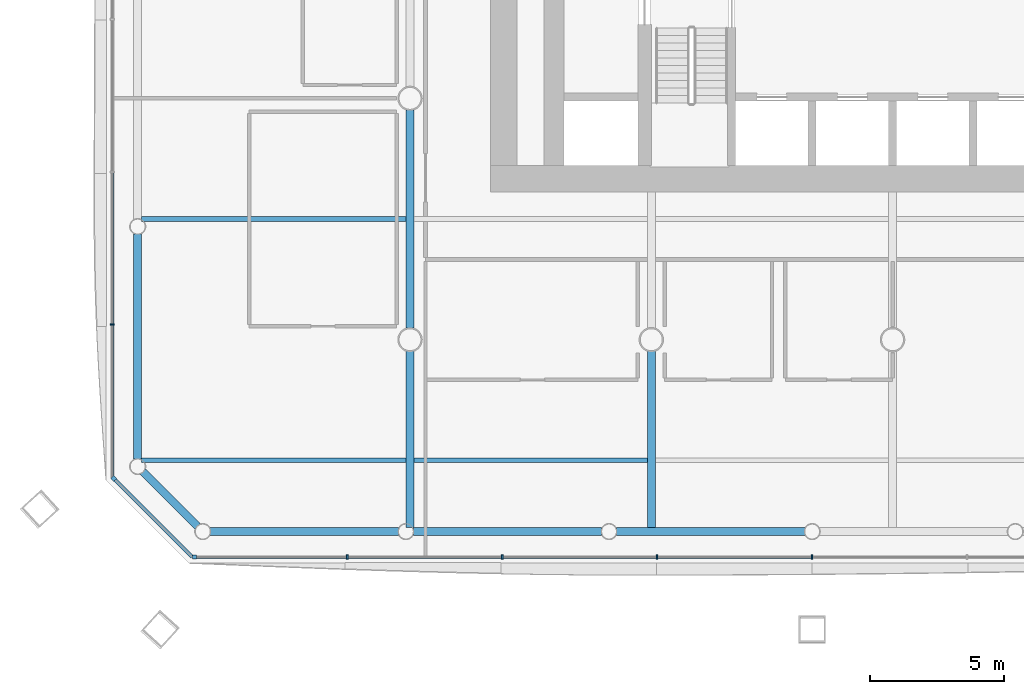
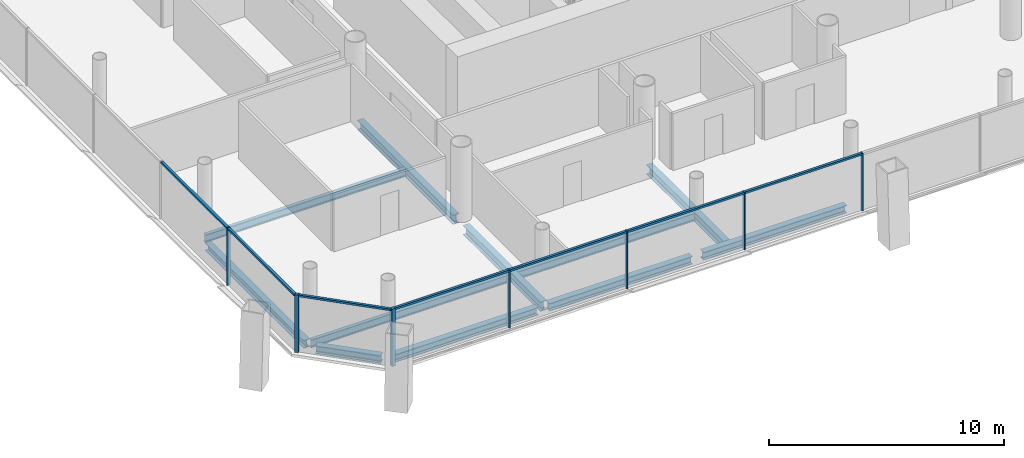
# One storey, part 2 of 20: 14 members, 11 beams, 3 elements without a shape of their own.
"""IFC4 building model written with IfcOpenShell, lengths in metres."""

from ifc_helpers import new_model, si_unit, direction, frame, origin, origin_2d, place, context, subcontext, project, spatial, rectangle, i_section, extrude, material, material_profile, profile_set, type_object, element, aggregate, save


model = new_model("IFC4")

# Units and contexts
model_context = context("Model", 3, precision=1e-05, world=origin(), true_north=direction((0.0, 1.0)))
body_context = subcontext(model_context, "Body", "Model", "MODEL_VIEW")
ifc_project = project(units=[si_unit("LENGTHUNIT", "METRE"), si_unit("AREAUNIT", "SQUARE_METRE"), si_unit("VOLUMEUNIT", "CUBIC_METRE"), si_unit("PLANEANGLEUNIT", "RADIAN"), si_unit("MASSUNIT", "GRAM", prefix="KILO")], contexts=[model_context])

# Site, building, storey
site_placement = place(None, origin())
site = spatial("IfcSite", under=ifc_project, at=site_placement, CompositionType="ELEMENT")
building_placement = place(site_placement, origin())
building = spatial("IfcBuilding", under=site, at=building_placement, Name="Tskaro Facet Tower", CompositionType="ELEMENT")
storey_placement = place(building_placement, frame((0.0, 0.0, 53.699951171875)))
storey = spatial("IfcBuildingStorey", under=building, at=storey_placement, Name="L12", CompositionType="ELEMENT", Elevation=53.699951171875)

# Curtain wall, member
ifc_material_1 = material(Name="Bronze anodised aluminium 6063-T6", Category="aluminium")
curtain_wall_type = type_object("IfcCurtainWallType", Name="Bronze office curtain wall (FW1)", PredefinedType="NOTDEFINED", material=ifc_material_1)
curtain_wall_1_placement = place(storey_placement, origin())
curtain_wall_1 = element("IfcCurtainWall", 1, at=curtain_wall_1_placement, inside=storey, type_object=curtain_wall_type, Name="FW1 south facet L12", PredefinedType="NOTDEFINED")
ifc_material_profile_1 = material_profile(ifc_material_1, rectangle(XDim=0.159912109375, YDim=0.159912109375, at=origin_2d()), Name="Corner post 160x160")
ifc_profile_set_1 = profile_set([ifc_material_profile_1], Name="Bronze anodised aluminium 6063-T6")
member_type_1 = type_object("IfcMemberType", Name="FW1 bronze corner post 160x160", PredefinedType="MULLION", material=ifc_profile_set_1)
member_1_placement = place(storey_placement, frame((-26.0419921875, -26.10693359375, 0.0), z_axis=(0.0, 0.0, 1.0), x_axis=(1.0, 0.0, 0.0)))
member_1 = element("IfcMember", 2, at=member_1_placement, type_object=member_type_1, Name="FW1 south corner post", PredefinedType="MULLION", context=body_context, shape_type="SweptSolid", body=[
    extrude(rectangle(XDim=0.159912109375, YDim=0.159912109375, at=origin_2d()), origin(), (0.0, 0.0, 1.0), 2.989990234375),
])

curtain_wall_2_placement = place(storey_placement, origin())
curtain_wall_2 = element("IfcCurtainWall", 3, at=curtain_wall_2_placement, inside=storey, type_object=curtain_wall_type, Name="FW1 south-west facet L12", PredefinedType="NOTDEFINED")
member_2_placement = place(storey_placement, frame((-29.050537109375, -23.178466796875, 0.0), z_axis=(0.0, 0.0, 1.0), x_axis=(0.707106781187, -0.707106781187, 0.0)))
member_2 = element("IfcMember", 4, at=member_2_placement, type_object=member_type_1, Name="FW1 south-west corner post", PredefinedType="MULLION", context=body_context, shape_type="SweptSolid", body=[
    extrude(rectangle(XDim=0.159912109375, YDim=0.159912109375, at=origin_2d()), origin(), (0.0, 0.0, 1.0), 2.989990234375),
])

# Member
ifc_material_profile_2 = material_profile(ifc_material_1, rectangle(XDim=0.06005859375, YDim=0.159912109375, at=origin_2d()), Name="Mullion 60x160")
ifc_profile_set_2 = profile_set([ifc_material_profile_2], Name="Bronze anodised aluminium 6063-T6")
member_type_2 = type_object("IfcMemberType", Name="FW1 bronze mullion 60x160", PredefinedType="MULLION", material=ifc_profile_set_2)
member_3_placement = place(storey_placement, frame((-20.341552734375, -26.10693359375, 0.0), z_axis=(0.0, 0.0, 1.0), x_axis=(1.0, 0.0, 0.0)))
member_3 = element("IfcMember", 5, at=member_3_placement, type_object=member_type_2, Name="FW1 south mullion 1", PredefinedType="MULLION", context=body_context, shape_type="SweptSolid", body=[
    extrude(rectangle(XDim=0.06005859375, YDim=0.159912109375, at=origin_2d()), origin(), (0.0, 0.0, 1.0), 2.989990234375),
])

member_4_placement = place(storey_placement, frame((-14.56103515625, -26.10693359375, 0.0), z_axis=(0.0, 0.0, 1.0), x_axis=(1.0, 0.0, 0.0)))
member_4 = element("IfcMember", 6, at=member_4_placement, type_object=member_type_2, Name="FW1 south mullion 2", PredefinedType="MULLION", context=body_context, shape_type="SweptSolid", body=[
    extrude(rectangle(XDim=0.06005859375, YDim=0.159912109375, at=origin_2d()), origin(), (0.0, 0.0, 1.0), 2.989990234375),
])

member_5_placement = place(storey_placement, frame((-8.780517578125, -26.10693359375, 0.0), z_axis=(0.0, 0.0, 1.0), x_axis=(1.0, 0.0, 0.0)))
member_5 = element("IfcMember", 7, at=member_5_placement, type_object=member_type_2, Name="FW1 south mullion 3", PredefinedType="MULLION", context=body_context, shape_type="SweptSolid", body=[
    extrude(rectangle(XDim=0.06005859375, YDim=0.159912109375, at=origin_2d()), origin(), (0.0, 0.0, 1.0), 2.989990234375),
])

member_6_placement = place(storey_placement, frame((-3.0, -26.10693359375, 0.0), z_axis=(0.0, 0.0, 1.0), x_axis=(1.0, 0.0, 0.0)))
member_6 = element("IfcMember", 8, at=member_6_placement, type_object=member_type_2, Name="FW1 south mullion 4", PredefinedType="MULLION", context=body_context, shape_type="SweptSolid", body=[
    extrude(rectangle(XDim=0.06005859375, YDim=0.159912109375, at=origin_2d()), origin(), (0.0, 0.0, 1.0), 2.989990234375),
])

# Curtain wall, member
curtain_wall_3_placement = place(storey_placement, origin())
curtain_wall_3 = element("IfcCurtainWall", 9, at=curtain_wall_3_placement, inside=storey, type_object=curtain_wall_type, Name="FW1 west facet L12", PredefinedType="NOTDEFINED")
member_7_placement = place(storey_placement, frame((-29.10693359375, -17.43115234375, 0.0), z_axis=(0.0, 0.0, 1.0), x_axis=(0.0, -1.0, 0.0)))
member_7 = element("IfcMember", 10, at=member_7_placement, type_object=member_type_2, Name="FW1 west mullion 7", PredefinedType="MULLION", context=body_context, shape_type="SweptSolid", body=[
    extrude(rectangle(XDim=0.06005859375, YDim=0.159912109375, at=origin_2d()), origin(), (0.0, 0.0, 1.0), 2.989990234375),
])

# Member
ifc_material_profile_3 = material_profile(ifc_material_1, rectangle(XDim=0.1201171875, YDim=0.10009765625, at=origin_2d()), Name="Transom 120x100")
ifc_profile_set_3 = profile_set([ifc_material_profile_3], Name="Bronze anodised aluminium 6063-T6")
member_type_3 = type_object("IfcMemberType", Name="FW1 bronze transom 120x100", PredefinedType="USERDEFINED", material=ifc_profile_set_3)
member_8_placement = place(storey_placement, frame((-25.9619140625, -26.10693359375, 2.93994140625), z_axis=(1.0, 0.0, 0.0), x_axis=(0.0, 1.0, 0.0)))
member_8 = element("IfcMember", 11, at=member_8_placement, type_object=member_type_3, Name="FW1 south transom 1.1", ObjectType="TRANSOM", PredefinedType="USERDEFINED", context=body_context, shape_type="SweptSolid", body=[
    extrude(rectangle(XDim=0.1201171875, YDim=0.10009765625, at=origin_2d()), origin(), (0.0, 0.0, 1.0), 5.59033203125),
])

member_9_placement = place(storey_placement, frame((-20.3115234375, -26.10693359375, 2.93994140625), z_axis=(1.0, 0.0, 0.0), x_axis=(0.0, 1.0, 0.0)))
member_9 = element("IfcMember", 12, at=member_9_placement, type_object=member_type_3, Name="FW1 south transom 2.1", ObjectType="TRANSOM", PredefinedType="USERDEFINED", context=body_context, shape_type="SweptSolid", body=[
    extrude(rectangle(XDim=0.1201171875, YDim=0.10009765625, at=origin_2d()), origin(), (0.0, 0.0, 1.0), 5.720458984375),
])

member_10_placement = place(storey_placement, frame((-14.531005859375, -26.10693359375, 2.93994140625), z_axis=(1.0, 0.0, 0.0), x_axis=(0.0, 1.0, 0.0)))
member_10 = element("IfcMember", 13, at=member_10_placement, type_object=member_type_3, Name="FW1 south transom 3.1", ObjectType="TRANSOM", PredefinedType="USERDEFINED", context=body_context, shape_type="SweptSolid", body=[
    extrude(rectangle(XDim=0.1201171875, YDim=0.10009765625, at=origin_2d()), origin(), (0.0, 0.0, 1.0), 5.720458984375),
])

member_11_placement = place(storey_placement, frame((-8.75048828125, -26.10693359375, 2.93994140625), z_axis=(1.0, 0.0, 0.0), x_axis=(0.0, 1.0, 0.0)))
member_11 = element("IfcMember", 14, at=member_11_placement, type_object=member_type_3, Name="FW1 south transom 4.1", ObjectType="TRANSOM", PredefinedType="USERDEFINED", context=body_context, shape_type="SweptSolid", body=[
    extrude(rectangle(XDim=0.1201171875, YDim=0.10009765625, at=origin_2d()), origin(), (0.0, 0.0, 1.0), 5.720458984375),
])

aggregate(curtain_wall_1, [member_1, member_3, member_4, member_5, member_6, member_8, member_9, member_10, member_11])

member_12_placement = place(storey_placement, frame((-29.10693359375, -11.770263671875, 2.93994140625), z_axis=(0.0, -1.0, 0.0), x_axis=(1.0, 0.0, 0.0)))
member_12 = element("IfcMember", 15, at=member_12_placement, type_object=member_type_3, Name="FW1 west transom 7.1", ObjectType="TRANSOM", PredefinedType="USERDEFINED", context=body_context, shape_type="SweptSolid", body=[
    extrude(rectangle(XDim=0.1201171875, YDim=0.10009765625, at=origin_2d()), origin(), (0.0, 0.0, 1.0), 5.630859375),
])

member_13_placement = place(storey_placement, frame((-29.10693359375, -17.461181640625, 2.93994140625), z_axis=(0.0, -1.0, 0.0), x_axis=(1.0, 0.0, 0.0)))
member_13 = element("IfcMember", 16, at=member_13_placement, type_object=member_type_3, Name="FW1 west transom 8.1", ObjectType="TRANSOM", PredefinedType="USERDEFINED", context=body_context, shape_type="SweptSolid", body=[
    extrude(rectangle(XDim=0.1201171875, YDim=0.10009765625, at=origin_2d()), origin(), (0.0, 0.0, 1.0), 5.660888671875),
])

aggregate(curtain_wall_3, [member_7, member_12, member_13])

member_14_placement = place(storey_placement, frame((-28.993896484375, -23.235107421875, 2.93994140625), z_axis=(0.707106781187, -0.707106781187, 0.0), x_axis=(0.707106781187, 0.707106781187, 0.0)))
member_14 = element("IfcMember", 17, at=member_14_placement, type_object=member_type_3, Name="FW1 south-west transom 1.1", ObjectType="TRANSOM", PredefinedType="USERDEFINED", context=body_context, shape_type="SweptSolid", body=[
    extrude(rectangle(XDim=0.1201171875, YDim=0.10009765625, at=origin_2d()), origin(), (0.0, 0.0, 1.0), 4.061279296875),
])

aggregate(curtain_wall_2, [member_2, member_14])

# Beams
ifc_material_2 = material(Name="Steel S355J2", Category="steel")
ifc_material_profile_4 = material_profile(ifc_material_2, i_section(OverallWidth=0.300048828125, OverallDepth=0.39990234375, WebThickness=0.013427734375, FlangeThickness=0.02392578125, FilletRadius=0.027099609375, at=origin_2d()), Name="HE 400 B")
ifc_profile_set_4 = profile_set([ifc_material_profile_4], Name="Steel S355J2")
beam_type_1 = type_object("IfcBeamType", Name="HE 400 B ring beam", PredefinedType="BEAM", material=ifc_profile_set_4)
beam_1_placement = place(storey_placement, frame((-25.4541015625, -25.156982421875, -0.33984375), z_axis=(1.0, 0.0, 0.0), x_axis=(0.0, 1.0, 0.0)))
element("IfcBeam", 18, at=beam_1_placement, inside=storey, type_object=beam_type_1, Name="HE 400 B EB1-1", PredefinedType="BEAM", context=body_context, shape_type="SweptSolid", body=[
    extrude(i_section(OverallWidth=0.300048828125, OverallDepth=0.39990234375, WebThickness=0.013427734375, FlangeThickness=0.02392578125, FilletRadius=0.027099609375, at=origin_2d()), origin(), (0.0, 0.0, 1.0), 7.026123046875),
])
beam_2_placement = place(storey_placement, frame((-17.8779296875, -25.156982421875, -0.33984375), z_axis=(1.0, 0.0, 0.0), x_axis=(0.0, 1.0, 0.0)))
element("IfcBeam", 19, at=beam_2_placement, inside=storey, type_object=beam_type_1, Name="HE 400 B EB2-1", PredefinedType="BEAM", context=body_context, shape_type="SweptSolid", body=[
    extrude(i_section(OverallWidth=0.300048828125, OverallDepth=0.39990234375, WebThickness=0.013427734375, FlangeThickness=0.02392578125, FilletRadius=0.027099609375, at=origin_2d()), origin(), (0.0, 0.0, 1.0), 7.02685546875),
])
beam_3_placement = place(storey_placement, frame((-10.301025390625, -25.156982421875, -0.33984375), z_axis=(1.0, 0.0, 0.0), x_axis=(0.0, 1.0, 0.0)))
element("IfcBeam", 20, at=beam_3_placement, inside=storey, type_object=beam_type_1, Name="HE 400 B EB3-1", PredefinedType="BEAM", context=body_context, shape_type="SweptSolid", body=[
    extrude(i_section(OverallWidth=0.300048828125, OverallDepth=0.39990234375, WebThickness=0.013427734375, FlangeThickness=0.02392578125, FilletRadius=0.027099609375, at=origin_2d()), origin(), (0.0, 0.0, 1.0), 7.026123046875),
])
beam_4_placement = place(storey_placement, frame((-28.156982421875, -14.055908203125, -0.33984375), z_axis=(0.0, -1.0, 0.0), x_axis=(1.0, 0.0, 0.0)))
element("IfcBeam", 21, at=beam_4_placement, inside=storey, type_object=beam_type_1, Name="HE 400 B EB24-1", PredefinedType="BEAM", context=body_context, shape_type="SweptSolid", body=[
    extrude(i_section(OverallWidth=0.300048828125, OverallDepth=0.39990234375, WebThickness=0.013427734375, FlangeThickness=0.02392578125, FilletRadius=0.027099609375, at=origin_2d()), origin(), (0.0, 0.0, 1.0), 8.398193359375),
])
beam_5_placement = place(storey_placement, frame((-27.962646484375, -22.92333984375, -0.33984375), z_axis=(0.707106781187, -0.707106781187, 0.0), x_axis=(0.707106781187, 0.707106781187, 0.0)))
element("IfcBeam", 22, at=beam_5_placement, inside=storey, type_object=beam_type_1, Name="HE 400 B EB25-1", PredefinedType="BEAM", context=body_context, shape_type="SweptSolid", body=[
    extrude(i_section(OverallWidth=0.300048828125, OverallDepth=0.39990234375, WebThickness=0.013427734375, FlangeThickness=0.02392578125, FilletRadius=0.027099609375, at=origin_2d()), origin(), (0.0, 0.0, 1.0), 2.884033203125),
])
ifc_material_profile_5 = material_profile(ifc_material_2, i_section(OverallWidth=0.300048828125, OverallDepth=0.489990234375, WebThickness=0.011962890625, FlangeThickness=0.02294921875, FilletRadius=0.027099609375, at=origin_2d()), Name="HE 500 A")
ifc_profile_set_5 = profile_set([ifc_material_profile_5], Name="Steel S355J2")
beam_type_2 = type_object("IfcBeamType", Name="HE 500 A girder", PredefinedType="BEAM", material=ifc_profile_set_5)
beam_6_placement = place(storey_placement, frame((-18.0, -25.007080078125, -0.385009765625), z_axis=(0.0, 1.0, 0.0), x_axis=(-1.0, 0.0, 0.0)))
element("IfcBeam", 23, at=beam_6_placement, inside=storey, type_object=beam_type_2, Name="HE 500 A GB2-1-1", PredefinedType="BEAM", context=body_context, shape_type="SweptSolid", body=[
    extrude(i_section(OverallWidth=0.300048828125, OverallDepth=0.489990234375, WebThickness=0.011962890625, FlangeThickness=0.02294921875, FilletRadius=0.027099609375, at=origin_2d()), origin(), (0.0, 0.0, 1.0), 6.579833984375),
])
beam_7_placement = place(storey_placement, frame((-18.0, -17.57275390625, -0.385009765625), z_axis=(0.0, 1.0, 0.0), x_axis=(-1.0, 0.0, 0.0)))
element("IfcBeam", 24, at=beam_7_placement, inside=storey, type_object=beam_type_2, Name="HE 500 A GB2-2-1", PredefinedType="BEAM", context=body_context, shape_type="SweptSolid", body=[
    extrude(i_section(OverallWidth=0.300048828125, OverallDepth=0.489990234375, WebThickness=0.011962890625, FlangeThickness=0.02294921875, FilletRadius=0.027099609375, at=origin_2d()), origin(), (0.0, 0.0, 1.0), 8.1455078125),
])
beam_8_placement = place(storey_placement, frame((-9.0, -25.007080078125, -0.385009765625), z_axis=(0.0, 1.0, 0.0), x_axis=(-1.0, 0.0, 0.0)))
element("IfcBeam", 25, at=beam_8_placement, inside=storey, type_object=beam_type_2, Name="HE 500 A GB3-1-1", PredefinedType="BEAM", context=body_context, shape_type="SweptSolid", body=[
    extrude(i_section(OverallWidth=0.300048828125, OverallDepth=0.489990234375, WebThickness=0.011962890625, FlangeThickness=0.02294921875, FilletRadius=0.027099609375, at=origin_2d()), origin(), (0.0, 0.0, 1.0), 6.579833984375),
])
ifc_material_profile_6 = material_profile(ifc_material_2, i_section(OverallWidth=0.179931640625, OverallDepth=0.39990234375, WebThickness=0.008544921875, FlangeThickness=0.013427734375, FilletRadius=0.02099609375, at=origin_2d()), Name="IPE 400")
ifc_profile_set_6 = profile_set([ifc_material_profile_6], Name="Steel S355J2")
beam_type_3 = type_object("IfcBeamType", Name="IPE 400 secondary beam", PredefinedType="BEAM", material=ifc_profile_set_6)
beam_9_placement = place(storey_placement, frame((-28.007080078125, -22.5, -0.33984375), z_axis=(1.0, 0.0, 0.0), x_axis=(0.0, 1.0, 0.0)))
element("IfcBeam", 26, at=beam_9_placement, inside=storey, type_object=beam_type_3, Name="IPE 400 SB1a-1-1", PredefinedType="BEAM", context=body_context, shape_type="SweptSolid", body=[
    extrude(i_section(OverallWidth=0.179931640625, OverallDepth=0.39990234375, WebThickness=0.008544921875, FlangeThickness=0.013427734375, FilletRadius=0.02099609375, at=origin_2d()), origin(), (0.0, 0.0, 1.0), 9.857177734375),
])
beam_10_placement = place(storey_placement, frame((-17.85009765625, -22.5, -0.33984375), z_axis=(1.0, 0.0, 0.0), x_axis=(0.0, 1.0, 0.0)))
element("IfcBeam", 27, at=beam_10_placement, inside=storey, type_object=beam_type_3, Name="IPE 400 SB1a-2-1", PredefinedType="BEAM", context=body_context, shape_type="SweptSolid", body=[
    extrude(i_section(OverallWidth=0.179931640625, OverallDepth=0.39990234375, WebThickness=0.008544921875, FlangeThickness=0.013427734375, FilletRadius=0.02099609375, at=origin_2d()), origin(), (0.0, 0.0, 1.0), 8.7001953125),
])
beam_11_placement = place(storey_placement, frame((-28.007080078125, -13.5, -0.33984375), z_axis=(1.0, 0.0, 0.0), x_axis=(0.0, 1.0, 0.0)))
element("IfcBeam", 28, at=beam_11_placement, inside=storey, type_object=beam_type_3, Name="IPE 400 SB2a-1-1", PredefinedType="BEAM", context=body_context, shape_type="SweptSolid", body=[
    extrude(i_section(OverallWidth=0.179931640625, OverallDepth=0.39990234375, WebThickness=0.008544921875, FlangeThickness=0.013427734375, FilletRadius=0.02099609375, at=origin_2d()), origin(), (0.0, 0.0, 1.0), 9.857177734375),
])

save(model, "model.ifc")
